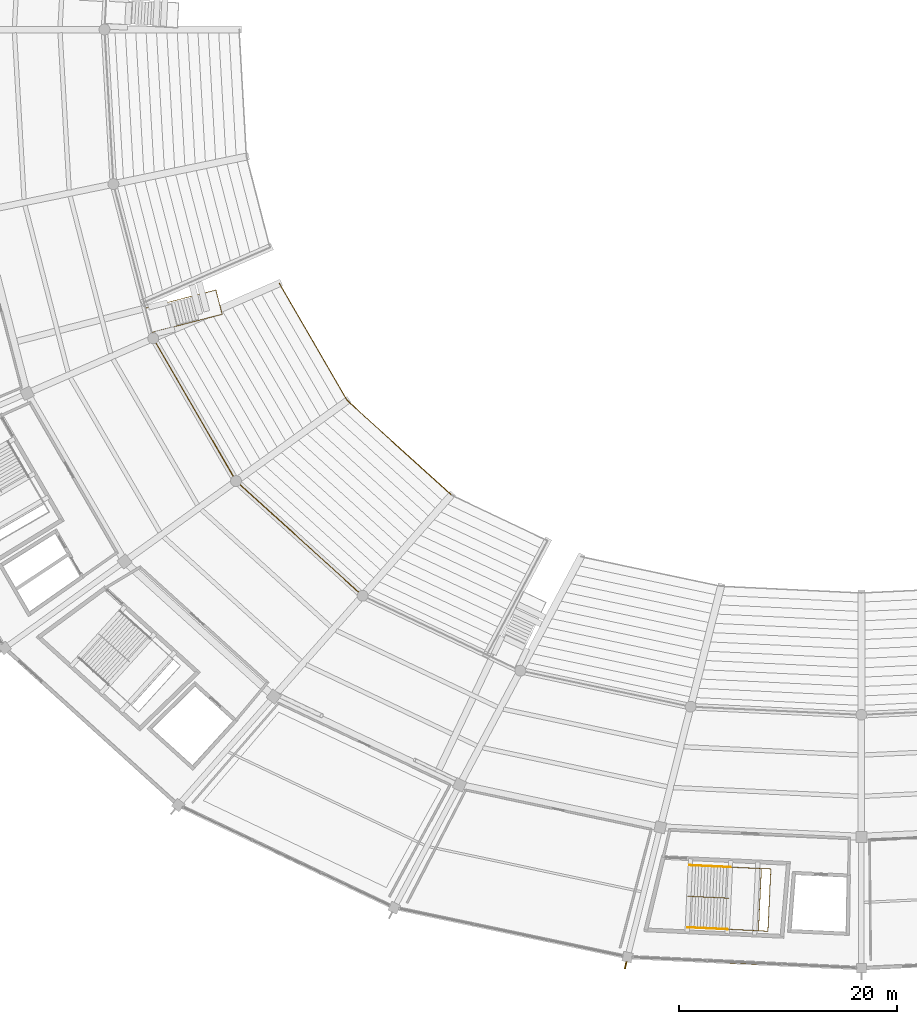
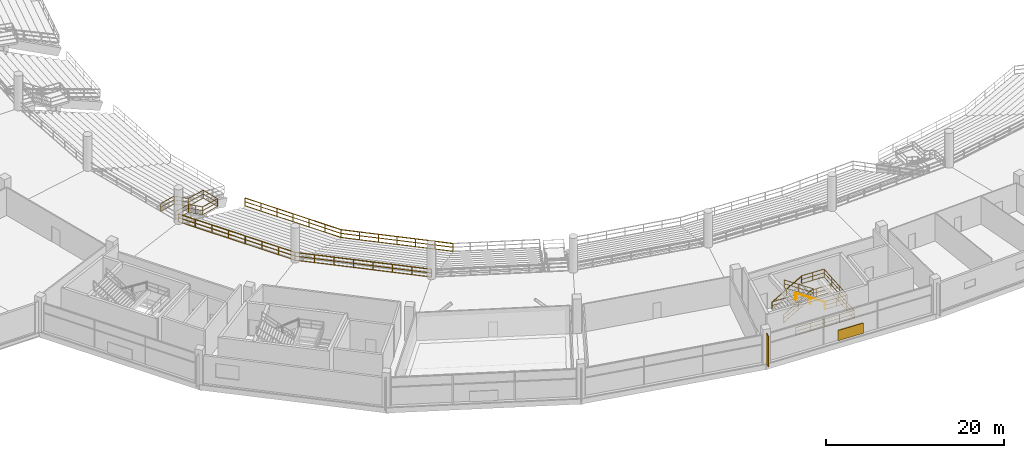
# One storey, part 143 of 156: 10 railings, 2 shading devices.
"""IFC4 building model written with IfcOpenShell, lengths in metres."""

from ifc_helpers import new_model, si_unit, direction, frame, origin, origin_2d, place, context, subcontext, project, spatial, rectangle, extrude, material, type_object, element, save


model = new_model("IFC4")

# Units and contexts
model_context = context("Model", 3, precision=1e-05, world=origin(), true_north=direction((0.0, 1.0)))
body_context = subcontext(model_context, "Body", "Model", "MODEL_VIEW")
ifc_project = project(units=[si_unit("LENGTHUNIT", "METRE"), si_unit("AREAUNIT", "SQUARE_METRE"), si_unit("VOLUMEUNIT", "CUBIC_METRE"), si_unit("PLANEANGLEUNIT", "RADIAN"), si_unit("MASSUNIT", "GRAM", prefix="KILO")], contexts=[model_context])

# Site, building, storey
site_placement = place(None, origin())
site = spatial("IfcSite", under=ifc_project, at=site_placement, CompositionType="ELEMENT")
building_placement = place(site_placement, origin())
building = spatial("IfcBuilding", under=site, at=building_placement, Name="Kazemori Nagisa Stadium", CompositionType="ELEMENT")
storey_placement = place(building_placement, frame((0.0, 0.0, 5.780029296875)))
storey = spatial("IfcBuildingStorey", under=building, at=storey_placement, Name="L01", CompositionType="ELEMENT", Elevation=5.780029296875)

# Shading devices
ifc_material_1 = material(Name="Aluminium 6063-T5 anodised", Category="aluminium")
shading_device_type_1 = type_object("IfcShadingDeviceType", Name="Fin_FN01", PredefinedType="USERDEFINED", material=ifc_material_1)
shading_device_1_placement = place(storey_placement, frame((101.404296875, 16.277099609375, 0.0), z_axis=(0.0, 0.0, 1.0), x_axis=(-0.222520933954, -0.974927912182, 0.0)))
element("IfcShadingDevice", 1, at=shading_device_1_placement, inside=storey, type_object=shading_device_type_1, Name="Aerodynamic wave shading fin L01-21", ObjectType="FIN", PredefinedType="USERDEFINED", context=body_context, shape_type="SweptSolid", body=[
    extrude(rectangle(XDim=0.64990234375, YDim=0.1201171875, at=origin_2d()), origin(), (0.0, 0.0, 1.0), 4.199951171875),
])
shading_device_type_2 = type_object("IfcShadingDeviceType", Name="Louvre_LV01", PredefinedType="JALOUSIE", material=ifc_material_1)
shading_device_2_placement = place(storey_placement, frame((112.2861328125, 16.506591796875, -0.010009765625), z_axis=(0.0, 0.0, 1.0), x_axis=(0.998884022476, -0.047230388971, 0.0)))
element("IfcShadingDevice", 2, at=shading_device_2_placement, inside=storey, type_object=shading_device_type_2, Name="Concourse ventilation louvre L01-B21", PredefinedType="JALOUSIE", context=body_context, shape_type="SweptSolid", body=[
    extrude(rectangle(XDim=3.199951171875, YDim=0.179931640625, at=origin_2d()), origin(), (0.0, 0.0, 1.0), 1.39990234375),
])

# Railings
ifc_material_2 = material(Name="Laminated safety glass and stainless steel SUS304", Category="steel")
railing_type_1 = type_object("IfcRailingType", Name="Rail_BAL", PredefinedType="BALUSTRADE", material=ifc_material_2)
railing_1_placement = place(storey_placement, frame((58.114013671875, 73.712890625, 0.0)))
element("IfcRailing", 3, at=railing_1_placement, inside=storey, type_object=railing_type_1, Name="Concourse bowl balustrade L01-B17", PredefinedType="BALUSTRADE", context=body_context, shape_type="SweptSolid", body=[
    extrude(rectangle(XDim=0.050048828125, YDim=0.050048828125, at=origin_2d()), frame((0.0, 0.0, 1.09521484375), z_axis=(0.501613453924, -0.865091869597, 0.0), x_axis=(0.865091869597, 0.501613453924, 0.0)), (0.0, 0.0, 1.0), 15.1201171875),
    extrude(rectangle(XDim=0.03759765625, YDim=0.03759765625, at=origin_2d()), frame((0.0, 0.0, 0.58251953125), z_axis=(0.501613453924, -0.865091869597, 0.0), x_axis=(0.865091869597, 0.501613453924, 0.0)), (0.0, 0.0, 1.0), 15.1201171875),
    extrude(rectangle(XDim=0.03759765625, YDim=0.03759765625, at=origin_2d()), frame((0.0, 0.0, 0.02490234375), z_axis=(0.501613453924, -0.865091869597, 0.0), x_axis=(0.865091869597, 0.501613453924, 0.0)), (0.0, 0.0, 1.0), 15.1201171875),
    extrude(rectangle(XDim=0.044921875, YDim=0.044921875, at=origin_2d()), origin(), (0.0, 0.0, 1.0), 1.070068359375),
    extrude(rectangle(XDim=0.044921875, YDim=0.044921875, at=origin_2d()), frame((1.08349609375, -1.86865234375, 0.0)), (0.0, 0.0, 1.0), 1.070068359375),
    extrude(rectangle(XDim=0.044921875, YDim=0.044921875, at=origin_2d()), frame((2.1669921875, -3.7373046875, 0.0)), (0.0, 0.0, 1.0), 1.070068359375),
    extrude(rectangle(XDim=0.044921875, YDim=0.044921875, at=origin_2d()), frame((3.25048828125, -5.60595703125, 0.0)), (0.0, 0.0, 1.0), 1.070068359375),
    extrude(rectangle(XDim=0.044921875, YDim=0.044921875, at=origin_2d()), frame((4.333984375, -7.474365234375, 0.0)), (0.0, 0.0, 1.0), 1.070068359375),
    extrude(rectangle(XDim=0.044921875, YDim=0.044921875, at=origin_2d()), frame((5.41748046875, -9.343017578125, 0.0)), (0.0, 0.0, 1.0), 1.070068359375),
    extrude(rectangle(XDim=0.044921875, YDim=0.044921875, at=origin_2d()), frame((6.5009765625, -11.211669921875, 0.0)), (0.0, 0.0, 1.0), 1.070068359375),
    extrude(rectangle(XDim=0.044921875, YDim=0.044921875, at=origin_2d()), frame((7.58447265625, -13.080322265625, 0.0)), (0.0, 0.0, 1.0), 1.070068359375),
])
railing_2_placement = place(storey_placement, frame((65.698486328125, 60.632568359375, 0.0)))
element("IfcRailing", 4, at=railing_2_placement, inside=storey, type_object=railing_type_1, Name="Concourse bowl balustrade L01-B18", PredefinedType="BALUSTRADE", context=body_context, shape_type="SweptSolid", body=[
    extrude(rectangle(XDim=0.050048828125, YDim=0.050048828125, at=origin_2d()), frame((0.0, 0.0, 1.09521484375), z_axis=(0.741349160152, -0.6711195294, 0.0), x_axis=(0.6711195294, 0.741349160152, 0.0)), (0.0, 0.0, 1.0), 15.65380859375),
    extrude(rectangle(XDim=0.03759765625, YDim=0.03759765625, at=origin_2d()), frame((0.0, 0.0, 0.58251953125), z_axis=(0.741349160152, -0.6711195294, 0.0), x_axis=(0.6711195294, 0.741349160152, 0.0)), (0.0, 0.0, 1.0), 15.65380859375),
    extrude(rectangle(XDim=0.03759765625, YDim=0.03759765625, at=origin_2d()), frame((0.0, 0.0, 0.02490234375), z_axis=(0.741349160152, -0.6711195294, 0.0), x_axis=(0.6711195294, 0.741349160152, 0.0)), (0.0, 0.0, 1.0), 15.65380859375),
    extrude(rectangle(XDim=0.044921875, YDim=0.044921875, at=origin_2d()), origin(), (0.0, 0.0, 1.0), 1.070068359375),
    extrude(rectangle(XDim=0.044921875, YDim=0.044921875, at=origin_2d()), frame((1.657958984375, -1.500732421875, 0.0)), (0.0, 0.0, 1.0), 1.070068359375),
    extrude(rectangle(XDim=0.044921875, YDim=0.044921875, at=origin_2d()), frame((3.315673828125, -3.001708984375, 0.0)), (0.0, 0.0, 1.0), 1.070068359375),
    extrude(rectangle(XDim=0.044921875, YDim=0.044921875, at=origin_2d()), frame((4.9736328125, -4.50244140625, 0.0)), (0.0, 0.0, 1.0), 1.070068359375),
    extrude(rectangle(XDim=0.044921875, YDim=0.044921875, at=origin_2d()), frame((6.63134765625, -6.003173828125, 0.0)), (0.0, 0.0, 1.0), 1.070068359375),
    extrude(rectangle(XDim=0.044921875, YDim=0.044921875, at=origin_2d()), frame((8.289306640625, -7.50390625, 0.0)), (0.0, 0.0, 1.0), 1.070068359375),
    extrude(rectangle(XDim=0.044921875, YDim=0.044921875, at=origin_2d()), frame((9.947021484375, -9.0048828125, 0.0)), (0.0, 0.0, 1.0), 1.070068359375),
    extrude(rectangle(XDim=0.044921875, YDim=0.044921875, at=origin_2d()), frame((11.60498046875, -10.505615234375, 0.0)), (0.0, 0.0, 1.0), 1.070068359375),
])
ifc_material_3 = material(Name="Galvanised powder-coated steel", Category="steel")
railing_type_2 = type_object("IfcRailingType", Name="Rail_GUARD", PredefinedType="GUARDRAIL", material=ifc_material_3)
railing_3_placement = place(storey_placement, frame((107.32470703125, 25.434814453125, 0.0)))
element("IfcRailing", 5, at=railing_3_placement, inside=storey, type_object=railing_type_2, Name="Stair well perimeter guard ST12-L01", PredefinedType="GUARDRAIL", context=body_context, shape_type="SweptSolid", body=[
    extrude(rectangle(XDim=0.050048828125, YDim=0.050048828125, at=origin_2d()), frame((0.0, 0.0, 1.09521484375), z_axis=(0.998885137924, -0.047206792244, 0.0), x_axis=(0.047206792244, 0.998885137924, 0.0)), (0.0, 0.0, 1.0), 7.380126953125),
    extrude(rectangle(XDim=0.03759765625, YDim=0.03759765625, at=origin_2d()), frame((0.0, 0.0, 0.58251953125), z_axis=(0.998885137924, -0.047206792244, 0.0), x_axis=(0.047206792244, 0.998885137924, 0.0)), (0.0, 0.0, 1.0), 7.380126953125),
    extrude(rectangle(XDim=0.03759765625, YDim=0.03759765625, at=origin_2d()), frame((0.0, 0.0, 0.02490234375), z_axis=(0.998885137924, -0.047206792244, 0.0), x_axis=(0.047206792244, 0.998885137924, 0.0)), (0.0, 0.0, 1.0), 7.380126953125),
    extrude(rectangle(XDim=0.050048828125, YDim=0.050048828125, at=origin_2d()), frame((7.371826171875, -0.348388671875, 1.09521484375), z_axis=(-0.047241595586, -0.998883492529, 0.0), x_axis=(0.998883492529, -0.047241595586, 0.0)), (0.0, 0.0, 1.0), 5.7001953125),
    extrude(rectangle(XDim=0.03759765625, YDim=0.03759765625, at=origin_2d()), frame((7.371826171875, -0.348388671875, 0.58251953125), z_axis=(-0.047241595586, -0.998883492529, 0.0), x_axis=(0.998883492529, -0.047241595586, 0.0)), (0.0, 0.0, 1.0), 5.7001953125),
    extrude(rectangle(XDim=0.03759765625, YDim=0.03759765625, at=origin_2d()), frame((7.371826171875, -0.348388671875, 0.02490234375), z_axis=(-0.047241595586, -0.998883492529, 0.0), x_axis=(0.998883492529, -0.047241595586, 0.0)), (0.0, 0.0, 1.0), 5.7001953125),
    extrude(rectangle(XDim=0.050048828125, YDim=0.050048828125, at=origin_2d()), frame((7.1025390625, -6.042236328125, 1.09521484375), z_axis=(-0.99888350364, 0.047241360641, 0.0), x_axis=(-0.047241360641, -0.99888350364, 0.0)), (0.0, 0.0, 1.0), 7.3798828125),
    extrude(rectangle(XDim=0.03759765625, YDim=0.03759765625, at=origin_2d()), frame((7.1025390625, -6.042236328125, 0.58251953125), z_axis=(-0.99888350364, 0.047241360641, 0.0), x_axis=(-0.047241360641, -0.99888350364, 0.0)), (0.0, 0.0, 1.0), 7.3798828125),
    extrude(rectangle(XDim=0.03759765625, YDim=0.03759765625, at=origin_2d()), frame((7.1025390625, -6.042236328125, 0.02490234375), z_axis=(-0.99888350364, 0.047241360641, 0.0), x_axis=(-0.047241360641, -0.99888350364, 0.0)), (0.0, 0.0, 1.0), 7.3798828125),
    extrude(rectangle(XDim=0.044921875, YDim=0.044921875, at=origin_2d()), origin(), (0.0, 0.0, 1.0), 1.070068359375),
    extrude(rectangle(XDim=0.044921875, YDim=0.044921875, at=origin_2d()), frame((1.843017578125, -0.087158203125, 0.0)), (0.0, 0.0, 1.0), 1.070068359375),
    extrude(rectangle(XDim=0.044921875, YDim=0.044921875, at=origin_2d()), frame((3.68603515625, -0.17431640625, 0.0)), (0.0, 0.0, 1.0), 1.070068359375),
    extrude(rectangle(XDim=0.044921875, YDim=0.044921875, at=origin_2d()), frame((5.52880859375, -0.26123046875, 0.0)), (0.0, 0.0, 1.0), 1.070068359375),
    extrude(rectangle(XDim=0.044921875, YDim=0.044921875, at=origin_2d()), frame((7.371826171875, -0.348388671875, 0.0)), (0.0, 0.0, 1.0), 1.070068359375),
    extrude(rectangle(XDim=0.044921875, YDim=0.044921875, at=origin_2d()), frame((7.281982421875, -2.246337890625, 0.0)), (0.0, 0.0, 1.0), 1.070068359375),
    extrude(rectangle(XDim=0.044921875, YDim=0.044921875, at=origin_2d()), frame((7.1923828125, -4.144287109375, 0.0)), (0.0, 0.0, 1.0), 1.070068359375),
    extrude(rectangle(XDim=0.044921875, YDim=0.044921875, at=origin_2d()), frame((7.1025390625, -6.042236328125, 0.0)), (0.0, 0.0, 1.0), 1.070068359375),
    extrude(rectangle(XDim=0.044921875, YDim=0.044921875, at=origin_2d()), frame((5.259765625, -5.955078125, 0.0)), (0.0, 0.0, 1.0), 1.070068359375),
    extrude(rectangle(XDim=0.044921875, YDim=0.044921875, at=origin_2d()), frame((3.416748046875, -5.867919921875, 0.0)), (0.0, 0.0, 1.0), 1.070068359375),
    extrude(rectangle(XDim=0.044921875, YDim=0.044921875, at=origin_2d()), frame((1.57373046875, -5.78076171875, 0.0)), (0.0, 0.0, 1.0), 1.070068359375),
    extrude(rectangle(XDim=0.044921875, YDim=0.044921875, at=origin_2d()), frame((-0.26904296875, -5.693603515625, 0.0)), (0.0, 0.0, 1.0), 1.070068359375),
])
railing_4_placement = place(storey_placement, frame((107.1103515625, 22.591796875, 0.0)))
element("IfcRailing", 6, at=railing_4_placement, inside=storey, type_object=railing_type_2, Name="Stair central guard ST12-L01", PredefinedType="GUARDRAIL", context=body_context, shape_type="SweptSolid", body=[
    extrude(rectangle(XDim=0.050048828125, YDim=0.050048828125, at=origin_2d()), frame((0.0, 0.0, 1.09521484375), z_axis=(0.843697724014, -0.039870113105, 0.535335898828), x_axis=(0.047203717739, 0.998885283219, 0.0)), (0.0, 0.0, 1.0), 4.445556640625),
    extrude(rectangle(XDim=0.03759765625, YDim=0.03759765625, at=origin_2d()), frame((0.0, 0.0, 0.58251953125), z_axis=(0.843697724014, -0.039870113105, 0.535335898828), x_axis=(0.047203717739, 0.998885283219, 0.0)), (0.0, 0.0, 1.0), 4.445556640625),
    extrude(rectangle(XDim=0.03759765625, YDim=0.03759765625, at=origin_2d()), frame((0.0, 0.0, 0.02490234375), z_axis=(0.843697724014, -0.039870113105, 0.535335898828), x_axis=(0.047203717739, 0.998885283219, 0.0)), (0.0, 0.0, 1.0), 4.445556640625),
    extrude(rectangle(XDim=0.050048828125, YDim=0.050048828125, at=origin_2d()), frame((3.750732421875, -0.17724609375, 3.47509765625), z_axis=(-0.838405588611, 0.039645276237, 0.543603091472), x_axis=(-0.047233734206, -0.998883864297, 0.0)), (0.0, 0.0, 1.0), 4.37841796875),
    extrude(rectangle(XDim=0.03759765625, YDim=0.03759765625, at=origin_2d()), frame((3.750732421875, -0.17724609375, 2.96240234375), z_axis=(-0.838405588611, 0.039645276237, 0.543603091472), x_axis=(-0.047233734206, -0.998883864297, 0.0)), (0.0, 0.0, 1.0), 4.37841796875),
    extrude(rectangle(XDim=0.03759765625, YDim=0.03759765625, at=origin_2d()), frame((3.750732421875, -0.17724609375, 2.40478515625), z_axis=(-0.838405588611, 0.039645276237, 0.543603091472), x_axis=(-0.047233734206, -0.998883864297, 0.0)), (0.0, 0.0, 1.0), 4.37841796875),
    extrude(rectangle(XDim=0.044921875, YDim=0.044921875, at=origin_2d()), origin(), (0.0, 0.0, 1.0), 1.070068359375),
    extrude(rectangle(XDim=0.044921875, YDim=0.044921875, at=origin_2d()), frame((1.87548828125, -0.088623046875, 1.18994140625)), (0.0, 0.0, 1.0), 1.070068359375),
    extrude(rectangle(XDim=0.044921875, YDim=0.044921875, at=origin_2d()), frame((3.750732421875, -0.17724609375, 2.3798828125)), (0.0, 0.0, 1.0), 1.070068359375),
    extrude(rectangle(XDim=0.044921875, YDim=0.044921875, at=origin_2d()), frame((1.915283203125, -0.09033203125, 3.56982421875)), (0.0, 0.0, 1.0), 1.070068359375),
    extrude(rectangle(XDim=0.044921875, YDim=0.044921875, at=origin_2d()), frame((0.079833984375, -0.003662109375, 4.760009765625)), (0.0, 0.0, 1.0), 1.070068359375),
])
railing_5_placement = place(storey_placement, frame((110.99560546875, 25.26123046875, 2.3798828125)))
element("IfcRailing", 7, at=railing_5_placement, inside=storey, type_object=railing_type_2, Name="Stair landing guard ST12-L01", PredefinedType="GUARDRAIL", context=body_context, shape_type="SweptSolid", body=[
    extrude(rectangle(XDim=0.050048828125, YDim=0.050048828125, at=origin_2d()), frame((0.0, 0.0, 1.09521484375), z_axis=(0.998885512722, -0.047198860948, 0.0), x_axis=(0.047198860948, 0.998885512722, 0.0)), (0.0, 0.0, 1.0), 2.85009765625),
    extrude(rectangle(XDim=0.03759765625, YDim=0.03759765625, at=origin_2d()), frame((0.0, 0.0, 0.58251953125), z_axis=(0.998885512722, -0.047198860948, 0.0), x_axis=(0.047198860948, 0.998885512722, 0.0)), (0.0, 0.0, 1.0), 2.85009765625),
    extrude(rectangle(XDim=0.03759765625, YDim=0.03759765625, at=origin_2d()), frame((0.0, 0.0, 0.02490234375), z_axis=(0.998885512722, -0.047198860948, 0.0), x_axis=(0.047198860948, 0.998885512722, 0.0)), (0.0, 0.0, 1.0), 2.85009765625),
    extrude(rectangle(XDim=0.050048828125, YDim=0.050048828125, at=origin_2d()), frame((2.846923828125, -0.134521484375, 1.09521484375), z_axis=(-0.047243616775, -0.998883396936, 0.0), x_axis=(0.998883396936, -0.047243616775, 0.0)), (0.0, 0.0, 1.0), 5.699951171875),
    extrude(rectangle(XDim=0.03759765625, YDim=0.03759765625, at=origin_2d()), frame((2.846923828125, -0.134521484375, 0.58251953125), z_axis=(-0.047243616775, -0.998883396936, 0.0), x_axis=(0.998883396936, -0.047243616775, 0.0)), (0.0, 0.0, 1.0), 5.699951171875),
    extrude(rectangle(XDim=0.03759765625, YDim=0.03759765625, at=origin_2d()), frame((2.846923828125, -0.134521484375, 0.02490234375), z_axis=(-0.047243616775, -0.998883396936, 0.0), x_axis=(0.998883396936, -0.047243616775, 0.0)), (0.0, 0.0, 1.0), 5.699951171875),
    extrude(rectangle(XDim=0.050048828125, YDim=0.050048828125, at=origin_2d()), frame((2.57763671875, -5.828125, 1.09521484375), z_axis=(-0.998885321869, 0.047202899858, 0.0), x_axis=(-0.047202899858, -0.998885321869, 0.0)), (0.0, 0.0, 1.0), 2.849853515625),
    extrude(rectangle(XDim=0.03759765625, YDim=0.03759765625, at=origin_2d()), frame((2.57763671875, -5.828125, 0.58251953125), z_axis=(-0.998885321869, 0.047202899858, 0.0), x_axis=(-0.047202899858, -0.998885321869, 0.0)), (0.0, 0.0, 1.0), 2.849853515625),
    extrude(rectangle(XDim=0.03759765625, YDim=0.03759765625, at=origin_2d()), frame((2.57763671875, -5.828125, 0.02490234375), z_axis=(-0.998885321869, 0.047202899858, 0.0), x_axis=(-0.047202899858, -0.998885321869, 0.0)), (0.0, 0.0, 1.0), 2.849853515625),
    extrude(rectangle(XDim=0.044921875, YDim=0.044921875, at=origin_2d()), origin(), (0.0, 0.0, 1.0), 1.070068359375),
    extrude(rectangle(XDim=0.044921875, YDim=0.044921875, at=origin_2d()), frame((1.42333984375, -0.0673828125, 0.0)), (0.0, 0.0, 1.0), 1.070068359375),
    extrude(rectangle(XDim=0.044921875, YDim=0.044921875, at=origin_2d()), frame((2.846923828125, -0.134521484375, 0.0)), (0.0, 0.0, 1.0), 1.070068359375),
    extrude(rectangle(XDim=0.044921875, YDim=0.044921875, at=origin_2d()), frame((2.757080078125, -2.032470703125, 0.0)), (0.0, 0.0, 1.0), 1.070068359375),
    extrude(rectangle(XDim=0.044921875, YDim=0.044921875, at=origin_2d()), frame((2.66748046875, -3.93017578125, 0.0)), (0.0, 0.0, 1.0), 1.070068359375),
    extrude(rectangle(XDim=0.044921875, YDim=0.044921875, at=origin_2d()), frame((2.57763671875, -5.828125, 0.0)), (0.0, 0.0, 1.0), 1.070068359375),
    extrude(rectangle(XDim=0.044921875, YDim=0.044921875, at=origin_2d()), frame((1.154296875, -5.7607421875, 0.0)), (0.0, 0.0, 1.0), 1.070068359375),
    extrude(rectangle(XDim=0.044921875, YDim=0.044921875, at=origin_2d()), frame((-0.26904296875, -5.693603515625, 0.0)), (0.0, 0.0, 1.0), 1.070068359375),
])
railing_6_placement = place(storey_placement, frame((57.9765625, 74.245361328125, 0.0)))
element("IfcRailing", 8, at=railing_6_placement, inside=storey, type_object=railing_type_2, Name="Vomitory stair guard VL07", PredefinedType="GUARDRAIL", context=body_context, shape_type="SweptSolid", body=[
    extrude(rectangle(XDim=0.050048828125, YDim=0.050048828125, at=origin_2d()), frame((0.0, 0.0, 1.09521484375), z_axis=(0.968253726135, 0.249969441785, 0.0), x_axis=(-0.249969441785, 0.968253726135, 0.0)), (0.0, 0.0, 1.0), 2.099853515625),
    extrude(rectangle(XDim=0.03759765625, YDim=0.03759765625, at=origin_2d()), frame((0.0, 0.0, 0.58251953125), z_axis=(0.968253726135, 0.249969441785, 0.0), x_axis=(-0.249969441785, 0.968253726135, 0.0)), (0.0, 0.0, 1.0), 2.099853515625),
    extrude(rectangle(XDim=0.03759765625, YDim=0.03759765625, at=origin_2d()), frame((0.0, 0.0, 0.02490234375), z_axis=(0.968253726135, 0.249969441785, 0.0), x_axis=(-0.249969441785, 0.968253726135, 0.0)), (0.0, 0.0, 1.0), 2.099853515625),
    extrude(rectangle(XDim=0.050048828125, YDim=0.050048828125, at=origin_2d()), frame((2.033203125, 0.52490234375, 1.09521484375), z_axis=(0.815555201991, 0.210560195584, -0.53901216734), x_axis=(-0.249983023972, 0.968250219585, 0.0)), (0.0, 0.0, 1.0), 2.67138671875),
    extrude(rectangle(XDim=0.03759765625, YDim=0.03759765625, at=origin_2d()), frame((2.033203125, 0.52490234375, 0.58251953125), z_axis=(0.815555201991, 0.210560195584, -0.53901216734), x_axis=(-0.249983023972, 0.968250219585, 0.0)), (0.0, 0.0, 1.0), 2.67138671875),
    extrude(rectangle(XDim=0.03759765625, YDim=0.03759765625, at=origin_2d()), frame((2.033203125, 0.52490234375, 0.02490234375), z_axis=(0.815555201991, 0.210560195584, -0.53901216734), x_axis=(-0.249983023972, 0.968250219585, 0.0)), (0.0, 0.0, 1.0), 2.67138671875),
    extrude(rectangle(XDim=0.050048828125, YDim=0.050048828125, at=origin_2d()), frame((4.2119140625, 1.08740234375, -0.3447265625), z_axis=(0.968263359366, 0.249932124605, 0.0), x_axis=(-0.249932124605, 0.968263359366, 0.0)), (0.0, 0.0, 1.0), 2.320068359375),
    extrude(rectangle(XDim=0.03759765625, YDim=0.03759765625, at=origin_2d()), frame((4.2119140625, 1.08740234375, -0.857421875), z_axis=(0.968263359366, 0.249932124605, 0.0), x_axis=(-0.249932124605, 0.968263359366, 0.0)), (0.0, 0.0, 1.0), 2.320068359375),
    extrude(rectangle(XDim=0.03759765625, YDim=0.03759765625, at=origin_2d()), frame((4.2119140625, 1.08740234375, -1.4150390625), z_axis=(0.968263359366, 0.249932124605, 0.0), x_axis=(-0.249932124605, 0.968263359366, 0.0)), (0.0, 0.0, 1.0), 2.320068359375),
    extrude(rectangle(XDim=0.050048828125, YDim=0.050048828125, at=origin_2d()), frame((6.458251953125, 1.667236328125, -0.3447265625), z_axis=(-0.249971114664, 0.968253294254, 0.0), x_axis=(-0.968253294254, -0.249971114664, 0.0)), (0.0, 0.0, 1.0), 2.300048828125),
    extrude(rectangle(XDim=0.03759765625, YDim=0.03759765625, at=origin_2d()), frame((6.458251953125, 1.667236328125, -0.857421875), z_axis=(-0.249971114664, 0.968253294254, 0.0), x_axis=(-0.968253294254, -0.249971114664, 0.0)), (0.0, 0.0, 1.0), 2.300048828125),
    extrude(rectangle(XDim=0.03759765625, YDim=0.03759765625, at=origin_2d()), frame((6.458251953125, 1.667236328125, -1.4150390625), z_axis=(-0.249971114664, 0.968253294254, 0.0), x_axis=(-0.968253294254, -0.249971114664, 0.0)), (0.0, 0.0, 1.0), 2.300048828125),
    extrude(rectangle(XDim=0.050048828125, YDim=0.050048828125, at=origin_2d()), frame((5.88330078125, 3.894287109375, -0.3447265625), z_axis=(-0.968263359366, -0.249932124605, 0.0), x_axis=(0.249932124605, -0.968263359366, 0.0)), (0.0, 0.0, 1.0), 2.320068359375),
    extrude(rectangle(XDim=0.03759765625, YDim=0.03759765625, at=origin_2d()), frame((5.88330078125, 3.894287109375, -0.857421875), z_axis=(-0.968263359366, -0.249932124605, 0.0), x_axis=(0.249932124605, -0.968263359366, 0.0)), (0.0, 0.0, 1.0), 2.320068359375),
    extrude(rectangle(XDim=0.03759765625, YDim=0.03759765625, at=origin_2d()), frame((5.88330078125, 3.894287109375, -1.4150390625), z_axis=(-0.968263359366, -0.249932124605, 0.0), x_axis=(0.249932124605, -0.968263359366, 0.0)), (0.0, 0.0, 1.0), 2.320068359375),
    extrude(rectangle(XDim=0.050048828125, YDim=0.050048828125, at=origin_2d()), frame((3.636962890625, 3.314453125, -0.3447265625), z_axis=(-0.81552459517, -0.21057589009, 0.539052343642), x_axis=(0.25000928854, -0.968243438214, 0.0)), (0.0, 0.0, 1.0), 2.671142578125),
    extrude(rectangle(XDim=0.03759765625, YDim=0.03759765625, at=origin_2d()), frame((3.636962890625, 3.314453125, -0.857421875), z_axis=(-0.81552459517, -0.21057589009, 0.539052343642), x_axis=(0.25000928854, -0.968243438214, 0.0)), (0.0, 0.0, 1.0), 2.671142578125),
    extrude(rectangle(XDim=0.03759765625, YDim=0.03759765625, at=origin_2d()), frame((3.636962890625, 3.314453125, -1.4150390625), z_axis=(-0.81552459517, -0.21057589009, 0.539052343642), x_axis=(0.25000928854, -0.968243438214, 0.0)), (0.0, 0.0, 1.0), 2.671142578125),
    extrude(rectangle(XDim=0.050048828125, YDim=0.050048828125, at=origin_2d()), frame((1.45849609375, 2.751953125, 1.09521484375), z_axis=(-0.968260989685, -0.249941304817, 0.0), x_axis=(0.249941304817, -0.968260989685, 0.0)), (0.0, 0.0, 1.0), 2.10009765625),
    extrude(rectangle(XDim=0.03759765625, YDim=0.03759765625, at=origin_2d()), frame((1.45849609375, 2.751953125, 0.58251953125), z_axis=(-0.968260989685, -0.249941304817, 0.0), x_axis=(0.249941304817, -0.968260989685, 0.0)), (0.0, 0.0, 1.0), 2.10009765625),
    extrude(rectangle(XDim=0.03759765625, YDim=0.03759765625, at=origin_2d()), frame((1.45849609375, 2.751953125, 0.02490234375), z_axis=(-0.968260989685, -0.249941304817, 0.0), x_axis=(0.249941304817, -0.968260989685, 0.0)), (0.0, 0.0, 1.0), 2.10009765625),
    extrude(rectangle(XDim=0.044921875, YDim=0.044921875, at=origin_2d()), origin(), (0.0, 0.0, 1.0), 1.070068359375),
    extrude(rectangle(XDim=0.044921875, YDim=0.044921875, at=origin_2d()), frame((2.033203125, 0.52490234375, 0.0)), (0.0, 0.0, 1.0), 1.070068359375),
    extrude(rectangle(XDim=0.044921875, YDim=0.044921875, at=origin_2d()), frame((3.12255859375, 0.80615234375, -0.719970703125)), (0.0, 0.0, 1.0), 1.070068359375),
    extrude(rectangle(XDim=0.044921875, YDim=0.044921875, at=origin_2d()), frame((4.2119140625, 1.08740234375, -1.43994140625)), (0.0, 0.0, 1.0), 1.070068359375),
    extrude(rectangle(XDim=0.044921875, YDim=0.044921875, at=origin_2d()), frame((6.458251953125, 1.667236328125, -1.43994140625)), (0.0, 0.0, 1.0), 1.070068359375),
    extrude(rectangle(XDim=0.044921875, YDim=0.044921875, at=origin_2d()), frame((5.88330078125, 3.894287109375, -1.43994140625)), (0.0, 0.0, 1.0), 1.070068359375),
    extrude(rectangle(XDim=0.044921875, YDim=0.044921875, at=origin_2d()), frame((3.636962890625, 3.314453125, -1.43994140625)), (0.0, 0.0, 1.0), 1.070068359375),
    extrude(rectangle(XDim=0.044921875, YDim=0.044921875, at=origin_2d()), frame((2.5478515625, 3.033203125, -0.719970703125)), (0.0, 0.0, 1.0), 1.070068359375),
    extrude(rectangle(XDim=0.044921875, YDim=0.044921875, at=origin_2d()), frame((1.45849609375, 2.751953125, 0.0)), (0.0, 0.0, 1.0), 1.070068359375),
    extrude(rectangle(XDim=0.044921875, YDim=0.044921875, at=origin_2d()), frame((-0.574951171875, 2.22705078125, 0.0)), (0.0, 0.0, 1.0), 1.070068359375),
])
railing_7_placement = place(storey_placement, frame((69.6689453125, 78.750244140625, -4.919921875)))
element("IfcRailing", 9, at=railing_7_placement, inside=storey, type_object=railing_type_2, Name="Lower tier pitch-side crowd barrier B17", PredefinedType="GUARDRAIL", context=body_context, shape_type="SweptSolid", body=[
    extrude(rectangle(XDim=0.050048828125, YDim=0.050048828125, at=origin_2d()), frame((0.0, 0.0, 1.09521484375), z_axis=(0.501625475419, -0.865084898961, 0.0), x_axis=(0.865084898961, 0.501625475419, 0.0)), (0.0, 0.0, 1.0), 12.427490234375),
    extrude(rectangle(XDim=0.03759765625, YDim=0.03759765625, at=origin_2d()), frame((0.0, 0.0, 0.58251953125), z_axis=(0.501625475419, -0.865084898961, 0.0), x_axis=(0.865084898961, 0.501625475419, 0.0)), (0.0, 0.0, 1.0), 12.427490234375),
    extrude(rectangle(XDim=0.03759765625, YDim=0.03759765625, at=origin_2d()), frame((0.0, 0.0, 0.02490234375), z_axis=(0.501625475419, -0.865084898961, 0.0), x_axis=(0.865084898961, 0.501625475419, 0.0)), (0.0, 0.0, 1.0), 12.427490234375),
    extrude(rectangle(XDim=0.044921875, YDim=0.044921875, at=origin_2d()), origin(), (0.0, 0.0, 1.0), 1.070068359375),
    extrude(rectangle(XDim=0.044921875, YDim=0.044921875, at=origin_2d()), frame((1.0390625, -1.791748046875, 0.0)), (0.0, 0.0, 1.0), 1.070068359375),
    extrude(rectangle(XDim=0.044921875, YDim=0.044921875, at=origin_2d()), frame((2.077880859375, -3.58349609375, 0.0)), (0.0, 0.0, 1.0), 1.070068359375),
    extrude(rectangle(XDim=0.044921875, YDim=0.044921875, at=origin_2d()), frame((3.116943359375, -5.37548828125, 0.0)), (0.0, 0.0, 1.0), 1.070068359375),
    extrude(rectangle(XDim=0.044921875, YDim=0.044921875, at=origin_2d()), frame((4.156005859375, -7.167236328125, 0.0)), (0.0, 0.0, 1.0), 1.070068359375),
    extrude(rectangle(XDim=0.044921875, YDim=0.044921875, at=origin_2d()), frame((5.19482421875, -8.958984375, 0.0)), (0.0, 0.0, 1.0), 1.070068359375),
    extrude(rectangle(XDim=0.044921875, YDim=0.044921875, at=origin_2d()), frame((6.23388671875, -10.750732421875, 0.0)), (0.0, 0.0, 1.0), 1.070068359375),
])
railing_8_placement = place(storey_placement, frame((75.90283203125, 67.99951171875, -4.919921875)))
element("IfcRailing", 10, at=railing_8_placement, inside=storey, type_object=railing_type_2, Name="Lower tier pitch-side crowd barrier B18", PredefinedType="GUARDRAIL", context=body_context, shape_type="SweptSolid", body=[
    extrude(rectangle(XDim=0.050048828125, YDim=0.050048828125, at=origin_2d()), frame((0.0, 0.0, 1.09521484375), z_axis=(0.741338850776, -0.67113091743, 0.0), x_axis=(0.67113091743, 0.741338850776, 0.0)), (0.0, 0.0, 1.0), 12.866455078125),
    extrude(rectangle(XDim=0.03759765625, YDim=0.03759765625, at=origin_2d()), frame((0.0, 0.0, 0.58251953125), z_axis=(0.741338850776, -0.67113091743, 0.0), x_axis=(0.67113091743, 0.741338850776, 0.0)), (0.0, 0.0, 1.0), 12.866455078125),
    extrude(rectangle(XDim=0.03759765625, YDim=0.03759765625, at=origin_2d()), frame((0.0, 0.0, 0.02490234375), z_axis=(0.741338850776, -0.67113091743, 0.0), x_axis=(0.67113091743, 0.741338850776, 0.0)), (0.0, 0.0, 1.0), 12.866455078125),
    extrude(rectangle(XDim=0.044921875, YDim=0.044921875, at=origin_2d()), origin(), (0.0, 0.0, 1.0), 1.070068359375),
    extrude(rectangle(XDim=0.044921875, YDim=0.044921875, at=origin_2d()), frame((1.58984375, -1.439208984375, 0.0)), (0.0, 0.0, 1.0), 1.070068359375),
    extrude(rectangle(XDim=0.044921875, YDim=0.044921875, at=origin_2d()), frame((3.179443359375, -2.87841796875, 0.0)), (0.0, 0.0, 1.0), 1.070068359375),
    extrude(rectangle(XDim=0.044921875, YDim=0.044921875, at=origin_2d()), frame((4.76904296875, -4.3173828125, 0.0)), (0.0, 0.0, 1.0), 1.070068359375),
    extrude(rectangle(XDim=0.044921875, YDim=0.044921875, at=origin_2d()), frame((6.35888671875, -5.756591796875, 0.0)), (0.0, 0.0, 1.0), 1.070068359375),
    extrude(rectangle(XDim=0.044921875, YDim=0.044921875, at=origin_2d()), frame((7.94873046875, -7.19580078125, 0.0)), (0.0, 0.0, 1.0), 1.070068359375),
    extrude(rectangle(XDim=0.044921875, YDim=0.044921875, at=origin_2d()), frame((9.538330078125, -8.635009765625, 0.0)), (0.0, 0.0, 1.0), 1.070068359375),
])
ifc_material_4 = material(Name="Stainless steel SUS304", Category="steel")
railing_type_3 = type_object("IfcRailingType", Name="Rail_HAND", PredefinedType="HANDRAIL", material=ifc_material_4)
railing_9_placement = place(storey_placement, frame((107.244873046875, 25.438720703125, 0.169921875)))
element("IfcRailing", 11, at=railing_9_placement, inside=storey, type_object=railing_type_3, Name="Stair handrail ST12-L01-F1", PredefinedType="HANDRAIL", context=body_context, shape_type="SweptSolid", body=[
    extrude(rectangle(XDim=0.050048828125, YDim=0.050048828125, at=origin_2d()), frame((0.0, 0.0, 0.875), z_axis=(0.843671071265, -0.039923769369, 0.535373903128), x_axis=(0.04726859146, 0.998882215409, 0.0)), (0.0, 0.0, 1.0), 4.44580078125),
    extrude(rectangle(XDim=0.044921875, YDim=0.044921875, at=origin_2d()), origin(), (0.0, 0.0, 1.0), 0.849853515625),
    extrude(rectangle(XDim=0.044921875, YDim=0.044921875, at=origin_2d()), frame((1.87548828125, -0.0888671875, 1.18994140625)), (0.0, 0.0, 1.0), 0.849853515625),
    extrude(rectangle(XDim=0.044921875, YDim=0.044921875, at=origin_2d()), frame((3.750732421875, -0.177490234375, 2.380126953125)), (0.0, 0.0, 1.0), 0.849853515625),
])
railing_10_placement = place(storey_placement, frame((110.7265625, 19.567626953125, 2.550048828125)))
element("IfcRailing", 12, at=railing_10_placement, inside=storey, type_object=railing_type_3, Name="Stair handrail ST12-L01-F2", PredefinedType="HANDRAIL", context=body_context, shape_type="SweptSolid", body=[
    extrude(rectangle(XDim=0.050048828125, YDim=0.050048828125, at=origin_2d()), frame((0.0, 0.0, 0.875), z_axis=(-0.83843100158, 0.039646477928, 0.54356380709), x_axis=(-0.047233734206, -0.998883864297, 0.0)), (0.0, 0.0, 1.0), 4.378173828125),
    extrude(rectangle(XDim=0.044921875, YDim=0.044921875, at=origin_2d()), origin(), (0.0, 0.0, 1.0), 0.849853515625),
    extrude(rectangle(XDim=0.044921875, YDim=0.044921875, at=origin_2d()), frame((-1.83544921875, 0.0869140625, 1.18994140625)), (0.0, 0.0, 1.0), 0.849853515625),
    extrude(rectangle(XDim=0.044921875, YDim=0.044921875, at=origin_2d()), frame((-3.6708984375, 0.173583984375, 2.3798828125)), (0.0, 0.0, 1.0), 0.849853515625),
])

save(model, "model.ifc")
